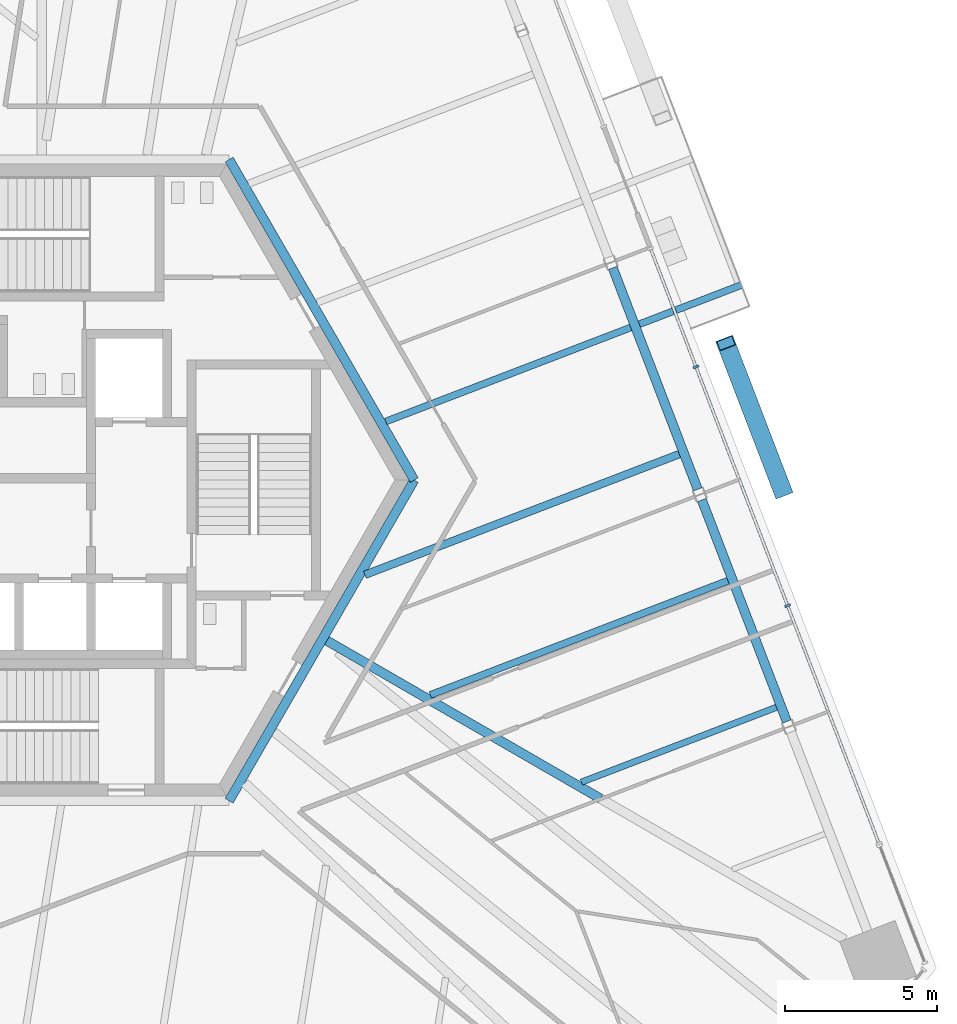
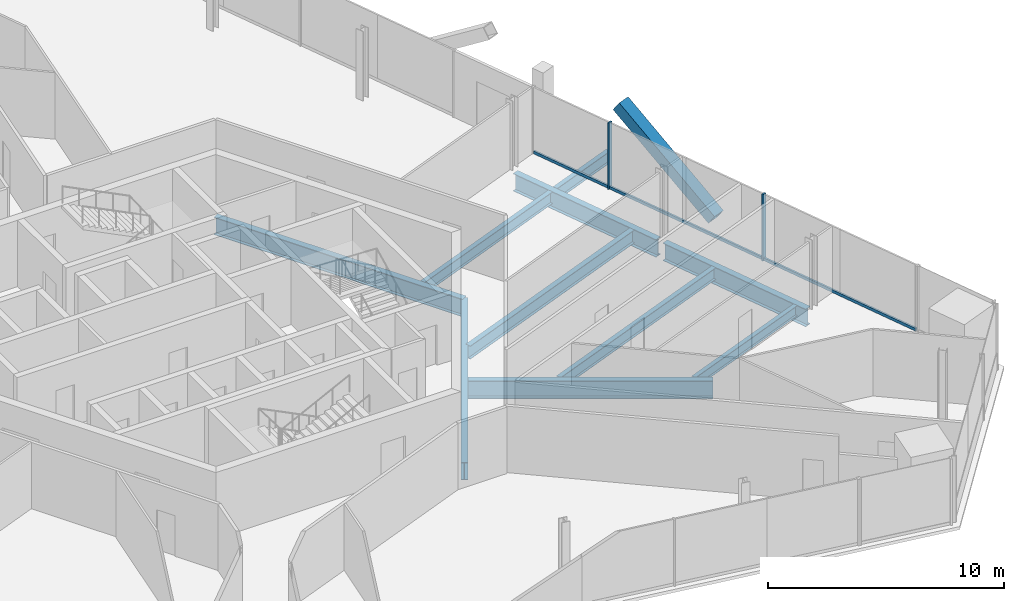
# One storey, part 7 of 19: 10 beams, 6 members, 1 element without a shape of its own.
"""IFC4 building model written with IfcOpenShell, lengths in metres."""

from ifc_helpers import new_model, si_unit, direction, frame, origin, origin_2d, place, context, subcontext, project, spatial, rectangle, hollow_rectangle, i_section, extrude, source, transform, mapped, material, material_profile, profile_set, type_object, element, aggregate, save


model = new_model("IFC4")

# Units and contexts
model_context = context("Model", 3, precision=1e-05, world=origin(), true_north=direction((0.0, 1.0)))
body_context = subcontext(model_context, "Body", "Model", "MODEL_VIEW")
ifc_project = project(units=[si_unit("LENGTHUNIT", "METRE"), si_unit("AREAUNIT", "SQUARE_METRE"), si_unit("VOLUMEUNIT", "CUBIC_METRE"), si_unit("PLANEANGLEUNIT", "RADIAN"), si_unit("MASSUNIT", "GRAM", prefix="KILO")], contexts=[model_context])

# Site, building, storey
site_placement = place(None, origin())
site = spatial("IfcSite", under=ifc_project, at=site_placement, CompositionType="ELEMENT")
building_placement = place(site_placement, origin())
building = spatial("IfcBuilding", under=site, at=building_placement, Name="Triune Harvest Tower", CompositionType="ELEMENT")
storey_placement = place(building_placement, frame((0.0, 0.0, 149.699951171875)))
storey = spatial("IfcBuildingStorey", under=building, at=storey_placement, Name="L38", CompositionType="ELEMENT", Elevation=149.699951171875)

# Curtain wall, members
ifc_material_1 = material(Name="Aluminium bronze anodised", Category="aluminium")
curtain_wall_type = type_object("IfcCurtainWallType", Name="CW-10 Balcony window wall with insulated spandrel infill", PredefinedType="NOTDEFINED", material=ifc_material_1)
curtain_wall_placement = place(storey_placement, origin())
curtain_wall = element("IfcCurtainWall", 1, at=curtain_wall_placement, inside=storey, type_object=curtain_wall_type, Name="CW-10 B4-F1 L38 run 1001")
ifc_material_2 = material(Name="Aluminium bronze anodised", Category="aluminium")
ifc_material_profile_1 = material_profile(ifc_material_2, rectangle(XDim=0.090087890625, YDim=0.14990234375, at=origin_2d()), Name="TR-6 transom 90 x 150")
ifc_profile_set_1 = profile_set([ifc_material_profile_1], Name="Aluminium bronze anodised")
member_type_1 = type_object("IfcMemberType", Name="TR-6 transom 90 x 150", PredefinedType="USERDEFINED", material=ifc_profile_set_1)
member_1_placement = place(storey_placement, frame((27.4423828125, -11.912353515625, 0.074951171875), z_axis=(-0.35836598202, 0.933581181757, 0.0), x_axis=(-0.933581181757, -0.35836598202, 0.0)))
member_1 = element("IfcMember", 2, at=member_1_placement, type_object=member_type_1, Name="CW-10 transom B4-F1 1001.1", ObjectType="TRANSOM", PredefinedType="USERDEFINED", context=body_context, shape_type="SweptSolid", body=[
    extrude(rectangle(XDim=0.090087890625, YDim=0.14990234375, at=origin_2d()), origin(), (0.0, 0.0, 1.0), 8.2998046875),
])
member_2_placement = place(storey_placement, frame((24.441162109375, -4.09375, 0.074951171875), z_axis=(-0.358368733061, 0.933580125733, 0.0), x_axis=(-0.933580125733, -0.358368733061, 0.0)))
member_2 = element("IfcMember", 3, at=member_2_placement, type_object=member_type_1, Name="CW-10 transom B4-F1 1001.2", ObjectType="TRANSOM", PredefinedType="USERDEFINED", context=body_context, shape_type="SweptSolid", body=[
    extrude(rectangle(XDim=0.090087890625, YDim=0.14990234375, at=origin_2d()), origin(), (0.0, 0.0, 1.0), 8.337158203125),
])

# Beams
ifc_material_3 = material(Name="Steel ASTM A992 Gr 50", Category="steel")
ifc_material_profile_2 = material_profile(ifc_material_3, i_section(OverallWidth=0.3046875, OverallDepth=0.914306640625, WebThickness=0.0166015625, FlangeThickness=0.02587890625, at=origin_2d()), Name="W36x160")
ifc_profile_set_2 = profile_set([ifc_material_profile_2], Name="Steel ASTM A992 Gr 50")
beam_type_1 = type_object("IfcBeamType", Name="CG-1 Core ring girder W36x160", PredefinedType="BEAM", material=ifc_profile_set_2)
shared_shape_1 = source(origin(), body_context, "Body", "SweptSolid", [
    extrude(i_section(OverallWidth=0.3046875, OverallDepth=0.914306640625, WebThickness=0.0166015625, FlangeThickness=0.02587890625, at=origin_2d()), origin(), (0.0, 0.0, 1.0), 12.176025390625),
])
for number, where, z_axis, x_axis, name in (
    (4, (12.176025390625, 0.0, -0.6171875), (-0.5000099932, 0.866019634131, 0.0), (-0.866019634131, -0.5000099932, 0.0), "beam/L38/CG1"),
    (5, (6.087890625, -10.544677734375, -0.6171875), (0.5000099932, 0.866019634131, 0.0), (-0.866019634131, 0.5000099932, 0.0), "beam/L38/CG6"),
):
    element("IfcBeam", number, at=place(storey_placement, frame(where, z_axis=z_axis, x_axis=x_axis)), inside=storey, type_object=beam_type_1, Name=name, PredefinedType="BEAM", context=body_context, shape_type="MappedRepresentation", body=[
        mapped(shared_shape_1, transform((0.0, 0.0, 0.0), scale=1.0)),
    ])
ifc_material_4 = material(Name="Steel ASTM A992 Gr 50", Category="steel")
ifc_material_profile_3 = material_profile(ifc_material_4, i_section(OverallWidth=0.307373046875, OverallDepth=0.922119140625, WebThickness=0.018310546875, FlangeThickness=0.030029296875, at=origin_2d()), Name="W36x182")
ifc_profile_set_3 = profile_set([ifc_material_profile_3], Name="Steel ASTM A992 Gr 50")
beam_type_2 = type_object("IfcBeamType", Name="HG-2 Hip girder W36x182", PredefinedType="BEAM", material=ifc_profile_set_3)
shared_shape_2 = source(origin(), body_context, "Body", "SweptSolid", [
    extrude(i_section(OverallWidth=0.307373046875, OverallDepth=0.922119140625, WebThickness=0.018310546875, FlangeThickness=0.030029296875, at=origin_2d()), origin(), (0.0, 0.0, 1.0), 10.38623046875),
])
beam_1_placement = place(storey_placement, frame((18.29833984375, -10.47314453125, -0.620849609375), z_axis=(-0.866022743272, 0.500004608114, 0.0), x_axis=(-0.500004608114, -0.866022743272, 0.0)))
element("IfcBeam", 6, at=beam_1_placement, inside=storey, type_object=beam_type_2, Name="beam/L38/HG2", PredefinedType="BEAM", context=body_context, shape_type="MappedRepresentation", body=[
    mapped(shared_shape_2, transform((0.0, 0.0, 0.0), scale=1.0)),
])
ifc_material_5 = material(Name="Steel ASTM A992 Gr 50", Category="steel")
ifc_material_profile_4 = material_profile(ifc_material_5, i_section(OverallWidth=0.3046875, OverallDepth=0.914306640625, WebThickness=0.0166015625, FlangeThickness=0.02587890625, at=origin_2d()), Name="W36x160")
ifc_profile_set_4 = profile_set([ifc_material_profile_4], Name="Steel ASTM A992 Gr 50")
beam_type_3 = type_object("IfcBeamType", Name="SB-1 Spandrel beam W36x160", PredefinedType="SPANDREL", material=ifc_profile_set_4)
shared_shape_3 = source(origin(), body_context, "Body", "SweptSolid", [
    extrude(i_section(OverallWidth=0.3046875, OverallDepth=0.914306640625, WebThickness=0.0166015625, FlangeThickness=0.02587890625, at=origin_2d()), origin(), (0.0, 0.0, 1.0), 7.8017578125),
])
for number, where, z_axis, x_axis, name in (
    (7, (24.428466796875, -7.93603515625, -0.6171875), (-0.358372974677, 0.933578497514, 0.0), (-0.933578497514, -0.358372974677, 0.0), "beam/L38/SB2"),
    (8, (21.498779296875, -0.303955078125, -0.6171875), (-0.358372974677, 0.933578497514, 0.0), (-0.933578497514, -0.358372974677, 0.0), "beam/L38/SB3"),
):
    element("IfcBeam", number, at=place(storey_placement, frame(where, z_axis=z_axis, x_axis=x_axis)), inside=storey, type_object=beam_type_3, Name=name, PredefinedType="SPANDREL", context=body_context, shape_type="MappedRepresentation", body=[
        mapped(shared_shape_3, transform((0.0, 0.0, 0.0), scale=1.0)),
    ])
ifc_material_6 = material(Name="Steel ASTM A992 Gr 50", Category="steel")
ifc_material_profile_5 = material_profile(ifc_material_6, i_section(OverallWidth=0.2099609375, OverallDepth=0.535888671875, WebThickness=0.010986328125, FlangeThickness=0.017333984375, at=origin_2d()), Name="W21x68")
ifc_profile_set_5 = profile_set([ifc_material_profile_5], Name="Steel ASTM A992 Gr 50")
beam_type_4 = type_object("IfcBeamType", Name="JT-2 Floor joist W21x68", PredefinedType="JOIST", material=ifc_profile_set_5)
shared_shape_4 = source(origin(), body_context, "Body", "SweptSolid", [
    extrude(i_section(OverallWidth=0.2099609375, OverallDepth=0.535888671875, WebThickness=0.010986328125, FlangeThickness=0.017333984375, at=origin_2d()), origin(), (0.0, 0.0, 1.0), 6.871826171875),
])
beam_2_placement = place(storey_placement, frame((24.086669921875, -7.47119140625, -0.427978515625), z_axis=(-0.933577992689, -0.358374289769, 0.0), x_axis=(0.358374289769, -0.933577992689, 0.0)))
element("IfcBeam", 9, at=beam_2_placement, inside=storey, type_object=beam_type_4, Name="beam/L38/JT2", PredefinedType="JOIST", context=body_context, shape_type="MappedRepresentation", body=[
    mapped(shared_shape_4, transform((0.0, 0.0, 0.0), scale=1.0)),
])
ifc_material_7 = material(Name="Steel ASTM A992 Gr 50", Category="steel")
ifc_material_profile_6 = material_profile(ifc_material_7, i_section(OverallWidth=0.22900390625, OverallDepth=0.612060546875, WebThickness=0.011962890625, FlangeThickness=0.01953125, at=origin_2d()), Name="W24x84")
ifc_profile_set_6 = profile_set([ifc_material_profile_6], Name="Steel ASTM A992 Gr 50")
beam_type_5 = type_object("IfcBeamType", Name="JT-3 Floor joist W24x84", PredefinedType="JOIST", material=ifc_profile_set_6)
shared_shape_5 = source(origin(), body_context, "Body", "SweptSolid", [
    extrude(i_section(OverallWidth=0.22900390625, OverallDepth=0.612060546875, WebThickness=0.011962890625, FlangeThickness=0.01953125, at=origin_2d()), origin(), (0.0, 0.0, 1.0), 10.482666015625),
])
beam_3_placement = place(storey_placement, frame((22.48876953125, -3.30810546875, -0.466064453125), z_axis=(-0.933574113636, -0.358384394677, 0.0), x_axis=(0.358384394677, -0.933574113636, 0.0)))
element("IfcBeam", 10, at=beam_3_placement, inside=storey, type_object=beam_type_5, Name="beam/L38/JT3", PredefinedType="JOIST", context=body_context, shape_type="MappedRepresentation", body=[
    mapped(shared_shape_5, transform((0.0, 0.0, 0.0), scale=1.0)),
])
ifc_material_8 = material(Name="Steel ASTM A992 Gr 50", Category="steel")
ifc_material_profile_7 = material_profile(ifc_material_8, i_section(OverallWidth=0.253662109375, OverallDepth=0.683349609375, WebThickness=0.012451171875, FlangeThickness=0.01904296875, at=origin_2d()), Name="W27x94")
ifc_profile_set_7 = profile_set([ifc_material_profile_7], Name="Steel ASTM A992 Gr 50")
beam_type_6 = type_object("IfcBeamType", Name="JT-4 Floor joist W27x94", PredefinedType="JOIST", material=ifc_profile_set_7)
shared_shape_6 = source(origin(), body_context, "Body", "SweptSolid", [
    extrude(i_section(OverallWidth=0.253662109375, OverallDepth=0.683349609375, WebThickness=0.012451171875, FlangeThickness=0.01904296875, at=origin_2d()), origin(), (0.0, 0.0, 1.0), 11.071533203125),
])
beam_4_placement = place(storey_placement, frame((20.890869140625, 0.854736328125, -0.50146484375), z_axis=(-0.933585234032, -0.358355425237, 0.0), x_axis=(0.358355425237, -0.933585234032, 0.0)))
element("IfcBeam", 11, at=beam_4_placement, inside=storey, type_object=beam_type_6, Name="beam/L38/JT4", PredefinedType="JOIST", context=body_context, shape_type="MappedRepresentation", body=[
    mapped(shared_shape_6, transform((0.0, 0.0, 0.0), scale=1.0)),
])
shared_shape_7 = source(origin(), body_context, "Body", "SweptSolid", [
    extrude(i_section(OverallWidth=0.22900390625, OverallDepth=0.612060546875, WebThickness=0.011962890625, FlangeThickness=0.01953125, at=origin_2d()), origin(), (0.0, 0.0, 1.0), 8.625732421875),
])
beam_5_placement = place(storey_placement, frame((19.292724609375, 5.017578125, -0.466064453125), z_axis=(-0.933587577512, -0.35834931996, 0.0), x_axis=(0.35834931996, -0.933587577512, 0.0)))
element("IfcBeam", 12, at=beam_5_placement, inside=storey, type_object=beam_type_5, Name="beam/L38/JT5", PredefinedType="JOIST", context=body_context, shape_type="MappedRepresentation", body=[
    mapped(shared_shape_7, transform((0.0, 0.0, 0.0), scale=1.0)),
])

# Member
ifc_material_9 = material(Name="Steel ASTM A572 Gr 50", Category="steel")
ifc_material_profile_8 = material_profile(ifc_material_9, hollow_rectangle(XDim=0.60009765625, YDim=0.60009765625, WallThickness=0.0400390625, at=origin_2d()), Name="Box 600x600x40")
ifc_profile_set_8 = profile_set([ifc_material_profile_8], Name="Steel ASTM A572 Gr 50")
member_type_2 = type_object("IfcMemberType", Name="BR-2 Brace Box 600x600x40", PredefinedType="BRACE", material=ifc_profile_set_8)
shared_shape_8 = source(origin(), body_context, "Body", "SweptSolid", [
    extrude(hollow_rectangle(XDim=0.60009765625, YDim=0.60009765625, WallThickness=0.0400390625, at=origin_2d()), origin(), (0.0, 0.0, 1.0), 6.3291015625),
])
member_3_placement = place(storey_placement, frame((24.291748046875, -0.356689453125, 0.0), z_axis=(-0.294740818173, 0.767845926784, 0.568806190915), x_axis=(-0.933583525139, -0.358359877202, 0.0)))
element("IfcMember", 13, at=member_3_placement, inside=storey, type_object=member_type_2, Name="brace/B4-F1/d1/4", PredefinedType="BRACE", context=body_context, shape_type="MappedRepresentation", body=[
    mapped(shared_shape_8, transform((0.0, 0.0, 0.0), scale=1.0)),
])

ifc_material_10 = material(Name="Aluminium bronze anodised", Category="aluminium")
ifc_material_profile_9 = material_profile(ifc_material_10, rectangle(XDim=0.199951171875, YDim=0.074951171875, at=origin_2d()), Name="MU-6 mullion 75 x 200")
ifc_profile_set_9 = profile_set([ifc_material_profile_9], Name="Aluminium bronze anodised")
member_type_3 = type_object("IfcMemberType", Name="MU-6 mullion 75 x 200", PredefinedType="MULLION", material=ifc_profile_set_9)
shared_shape_9 = source(origin(), body_context, "Body", "SweptSolid", [
    extrude(rectangle(XDim=0.199951171875, YDim=0.074951171875, at=origin_2d()), origin(), (0.0, 0.0, 1.0), 3.43994140625),
])
member_4_placement = place(storey_placement, frame((24.45458984375, -4.12890625, 0.0), z_axis=(0.0, 0.0, 1.0), x_axis=(-0.933579785245, -0.35836962006, 0.0)))
member_4 = element("IfcMember", 14, at=member_4_placement, type_object=member_type_3, Name="CW-10 mullion B4-F1 1001.3", PredefinedType="MULLION", context=body_context, shape_type="MappedRepresentation", body=[
    mapped(shared_shape_9, transform((0.0, 0.0, 0.0), scale=1.0)),
])

member_5_placement = place(storey_placement, frame((21.43994140625, 3.724609375, 0.0), z_axis=(0.0, 0.0, 1.0), x_axis=(-0.933579785245, -0.35836962006, 0.0)))
member_5 = element("IfcMember", 15, at=member_5_placement, type_object=member_type_3, Name="CW-10 mullion B4-F1 1001.5", PredefinedType="MULLION", context=body_context, shape_type="MappedRepresentation", body=[
    mapped(shared_shape_9, transform((0.0, 0.0, 0.0), scale=1.0)),
])

# Beam
ifc_material_11 = material(Name="Steel ASTM A992 Gr 50", Category="steel")
ifc_material_profile_10 = material_profile(ifc_material_11, i_section(OverallWidth=0.22900390625, OverallDepth=0.612060546875, WebThickness=0.011962890625, FlangeThickness=0.01953125, at=origin_2d()), Name="W24x84")
ifc_profile_set_10 = profile_set([ifc_material_profile_10], Name="Steel ASTM A992 Gr 50")
beam_type_7 = type_object("IfcBeamType", Name="BJ-3 Balcony cantilever joist W24x84", PredefinedType="JOIST", material=ifc_profile_set_10)
shared_shape_10 = source(origin(), body_context, "Body", "SweptSolid", [
    extrude(i_section(OverallWidth=0.22900390625, OverallDepth=0.612060546875, WebThickness=0.011962890625, FlangeThickness=0.01953125, at=origin_2d()), origin(), (0.0, 0.0, 1.0), 3.59765625),
])
beam_6_placement = place(storey_placement, frame((19.577392578125, 5.126708984375, -0.466064453125), z_axis=(0.933576283592, 0.358378741997, 0.0), x_axis=(-0.358378741997, 0.933576283592, 0.0)))
element("IfcBeam", 16, at=beam_6_placement, inside=storey, type_object=beam_type_7, Name="Balcony cantilever joist B4-F1 L38.7b", PredefinedType="JOIST", context=body_context, shape_type="MappedRepresentation", body=[
    mapped(shared_shape_10, transform((0.0, 0.0, 0.0), scale=1.0)),
])

# Member
shared_shape_11 = source(origin(), body_context, "Body", "SweptSolid", [
    extrude(rectangle(XDim=0.090087890625, YDim=0.14990234375, at=origin_2d()), origin(), (0.0, 0.0, 1.0), 4.093505859375),
])
member_6_placement = place(storey_placement, frame((21.426513671875, 3.759765625, 0.074951171875), z_axis=(-0.358387508244, 0.933572918381, 0.0), x_axis=(-0.933572918381, -0.358387508244, 0.0)))
member_6 = element("IfcMember", 17, at=member_6_placement, type_object=member_type_1, Name="CW-10 transom B4-F1 1001.3", ObjectType="TRANSOM", PredefinedType="USERDEFINED", context=body_context, shape_type="MappedRepresentation", body=[
    mapped(shared_shape_11, transform((0.0, 0.0, 0.0), scale=1.0)),
])

aggregate(curtain_wall, [member_4, member_5, member_1, member_2, member_6])

save(model, "model.ifc")
